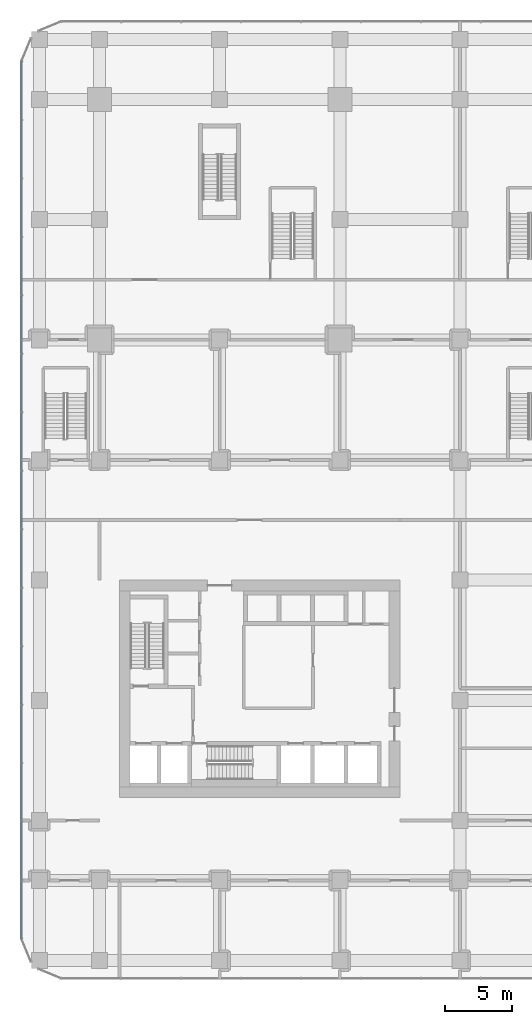
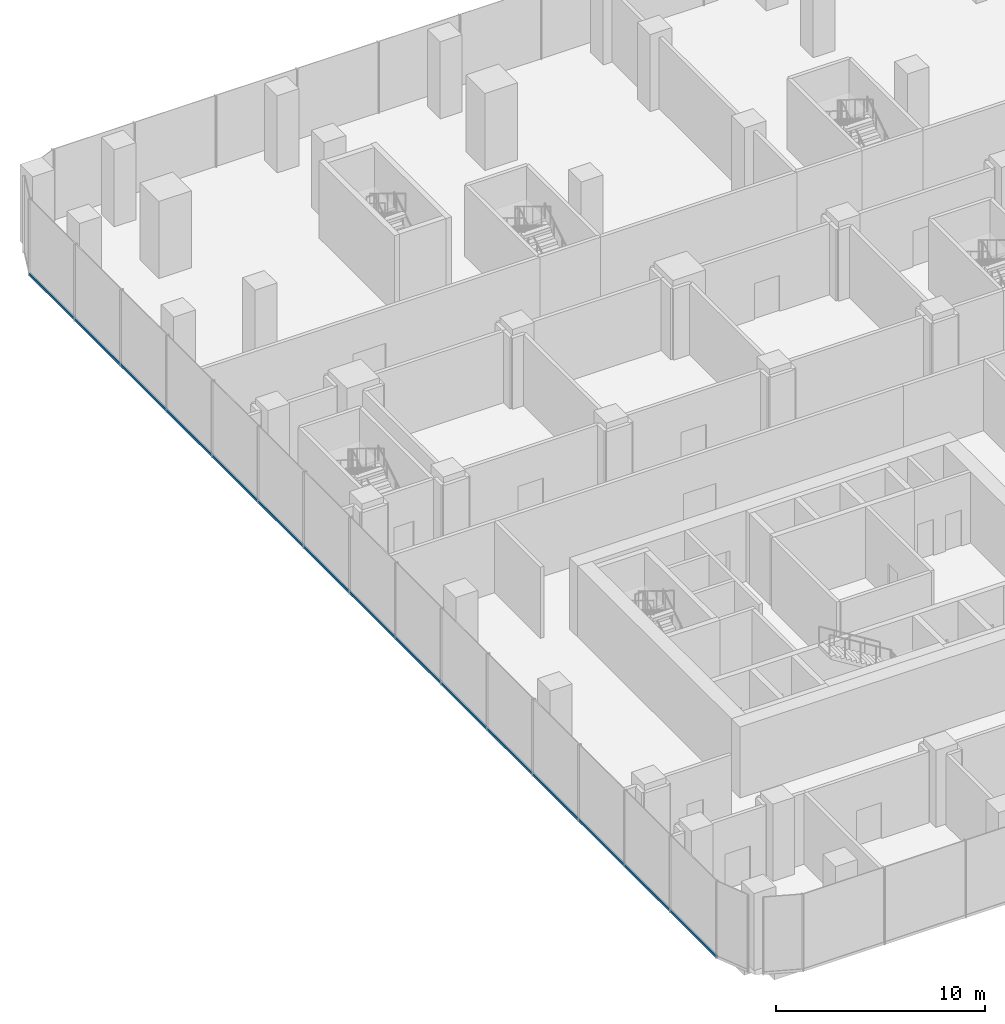
# One storey, part 9 of 43: 1 member, 1 element without a shape of its own.
"""IFC4 building model written with IfcOpenShell, lengths in metres."""

from ifc_helpers import new_model, si_unit, direction, frame, origin, origin_2d, place, context, subcontext, project, spatial, rectangle, extrude, material, layer, layer_set, material_profile, profile_set, type_object, element, aggregate, save


model = new_model("IFC4")

# Units and contexts
model_context = context("Model", 3, precision=1e-05, world=origin(), true_north=direction((0.0, 1.0)))
body_context = subcontext(model_context, "Body", "Model", "MODEL_VIEW")
ifc_project = project(units=[si_unit("LENGTHUNIT", "METRE"), si_unit("AREAUNIT", "SQUARE_METRE"), si_unit("VOLUMEUNIT", "CUBIC_METRE"), si_unit("PLANEANGLEUNIT", "RADIAN"), si_unit("MASSUNIT", "GRAM", prefix="KILO")], contexts=[model_context])

# Site, building, storey
site_placement = place(None, origin())
site = spatial("IfcSite", under=ifc_project, at=site_placement, CompositionType="ELEMENT")
building_placement = place(site_placement, origin())
building = spatial("IfcBuilding", under=site, at=building_placement, Name="Plateau Cross Towers", CompositionType="ELEMENT")
storey_placement = place(building_placement, frame((0.0, 0.0, 17.300048828125)))
storey = spatial("IfcBuildingStorey", under=building, at=storey_placement, Name="L03", CompositionType="ELEMENT", Elevation=17.300048828125)

# Curtain wall, member
ifc_material_1 = material(Name="Dark low-iron laminated glass", Category="glass")
ifc_layer = layer(ifc_material_1, 0.300048828125)
ifc_layer_set = layer_set([ifc_layer], Name="Dark low-iron laminated glass")
curtain_wall_type = type_object("IfcCurtainWallType", Name="Curtain wall structural silicone CW-C", PredefinedType="NOTDEFINED", material=ifc_layer_set)
curtain_wall_placement = place(storey_placement, origin())
curtain_wall = element("IfcCurtainWall", 1, at=curtain_wall_placement, inside=storey, type_object=curtain_wall_type, Name="ENV/P/L03/P-58_568", PredefinedType="NOTDEFINED")
ifc_material_2 = material(Name="Black anodised aluminium", Category="aluminium")
ifc_material_profile = material_profile(ifc_material_2, rectangle(XDim=0.10009765625, YDim=0.14990234375, at=origin_2d()), Name="TRANSOM 100x150")
ifc_profile_set = profile_set([ifc_material_profile], Name="Black anodised aluminium")
member_type = type_object("IfcMemberType", Name="Transom 100x150 structural silicone", PredefinedType="USERDEFINED", material=ifc_profile_set)
member_placement = place(storey_placement, frame((-5.85009765625, 56.85009765625, -0.275146484375), z_axis=(0.0, -1.0, 0.0), x_axis=(1.0, 0.0, 0.0)))
member = element("IfcMember", 2, at=member_placement, type_object=member_type, Name="CW-C transom", ObjectType="TRANSOM", PredefinedType="USERDEFINED", context=body_context, shape_type="SweptSolid", body=[
    extrude(rectangle(XDim=0.10009765625, YDim=0.14990234375, at=origin_2d()), origin(), (0.0, 0.0, 1.0), 65.7001953125),
])
aggregate(curtain_wall, [member])

save(model, "model.ifc")
